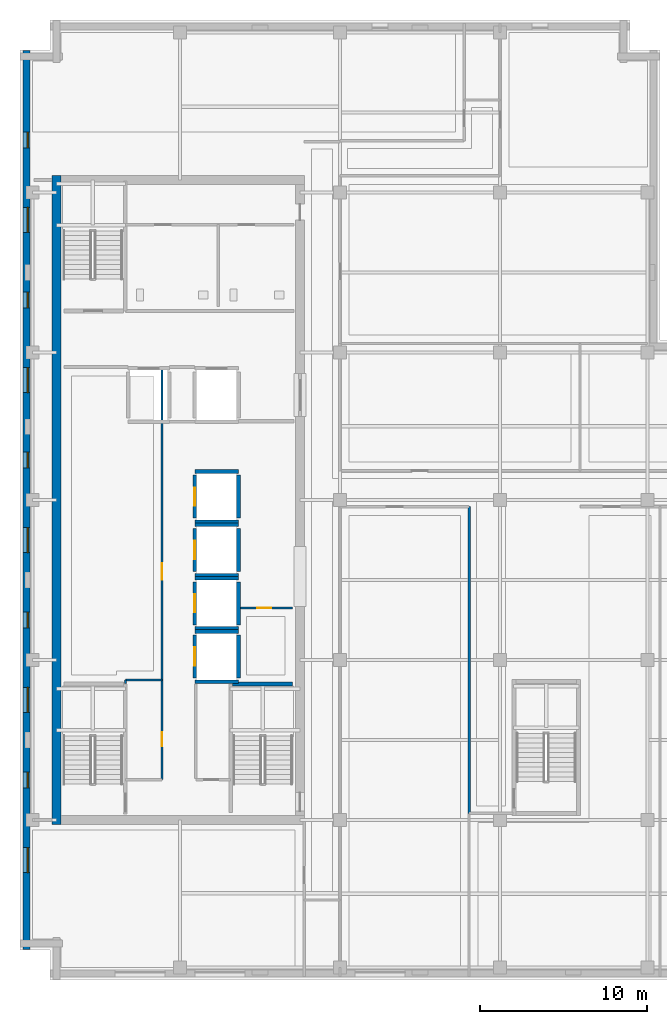
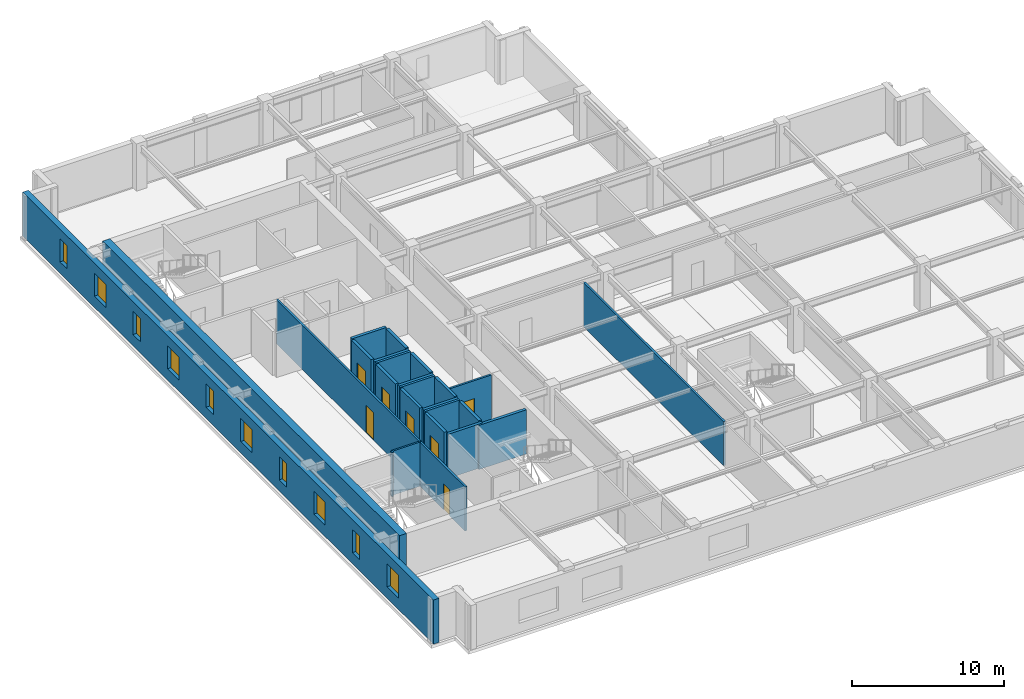
# One storey, part 4 of 11: 24 walls, 10 windows, 7 doors, 17 openings.
"""IFC4 building model written with IfcOpenShell, lengths in metres."""

from ifc_helpers import new_model, si_unit, direction, frame, frame_2d, origin, place, context, subcontext, project, spatial, rectangle, extrude, material, layer, layer_set, type_object, element, fill, save


model = new_model("IFC4")

# Units and contexts
model_context = context("Model", 3, precision=1e-05, world=origin(), true_north=direction((0.0, 1.0)))
body_context = subcontext(model_context, "Body", "Model", "MODEL_VIEW")
ifc_project = project(units=[si_unit("LENGTHUNIT", "METRE"), si_unit("AREAUNIT", "SQUARE_METRE"), si_unit("VOLUMEUNIT", "CUBIC_METRE"), si_unit("PLANEANGLEUNIT", "RADIAN"), si_unit("MASSUNIT", "GRAM", prefix="KILO")], contexts=[model_context])

# Site, building, storey
site_placement = place(None, origin())
site = spatial("IfcSite", under=ifc_project, at=site_placement, CompositionType="ELEMENT")
building_placement = place(site_placement, origin())
building = spatial("IfcBuilding", under=site, at=building_placement, Name="Norrvale University Quadrangle", CompositionType="ELEMENT")
storey_placement = place(building_placement, frame((0.0, 0.0, 248.39990234375)))
storey = spatial("IfcBuildingStorey", under=building, at=storey_placement, Name="L63", CompositionType="ELEMENT", Elevation=248.39990234375)

# Wall, openings, windows
ifc_material_1 = material(Name="Buff Norman Clay Brick Masonry", Category="masonry")
ifc_layer_1 = layer(ifc_material_1, 0.419921875, Name="Buff Norman Clay Brick Masonry")
ifc_layer_set_1 = layer_set([ifc_layer_1], Name="Buff Norman Clay Brick Masonry")
wall_type_1 = type_object("IfcWallType", Name="Wall Buff Brick 420", PredefinedType="SOLIDWALL", material=ifc_layer_set_1)
wall_1_placement = place(storey_placement, frame((0.389892578125, 55.760009765625, 0.0), z_axis=(0.0, 0.0, 1.0), x_axis=(0.0, -1.0, 0.0)))
wall_1 = element("IfcWall", 1, at=wall_1_placement, inside=storey, type_object=wall_type_1, Name="Exterior Brick Facade Wall L63-14.1", PredefinedType="SOLIDWALL", context=body_context, shape_type="SweptSolid", body=[
    extrude(rectangle(XDim=53.919921875, YDim=0.419921875, at=frame_2d((26.9599609375, 0.0))), origin(), (0.0, 0.0, 1.0), 3.5400390625),
])
opening_1_placement = place(wall_1_placement, frame((4.885009765625, 0.0, 0.89990234375)))
opening_1 = element("IfcOpeningElement", 2, at=opening_1_placement, cuts=wall_1, Name="Opening W04", PredefinedType="OPENING", context=body_context, shape_type="SweptSolid", body=[
    extrude(rectangle(XDim=0.949951171875, YDim=1.85009765625, at=frame_2d((0.47509765625, 0.925048828125))), frame((0.0, 0.221923828125, 0.0), z_axis=(0.0, -1.0, 0.0), x_axis=(1.0, 0.0, 0.0)), (0.0, 0.0, 1.0), 0.44384765625),
])
opening_2_placement = place(wall_1_placement, frame((9.409912109375, 0.0, 0.89990234375)))
opening_2 = element("IfcOpeningElement", 3, at=opening_2_placement, cuts=wall_1, Name="Opening W03", PredefinedType="OPENING", context=body_context, shape_type="SweptSolid", body=[
    extrude(rectangle(XDim=1.5, YDim=1.85009765625, at=frame_2d((0.75, 0.925048828125))), frame((0.0, 0.221923828125, 0.0), z_axis=(0.0, -1.0, 0.0), x_axis=(1.0, 0.0, 0.0)), (0.0, 0.0, 1.0), 0.44384765625),
])
opening_3_placement = place(wall_1_placement, frame((14.485107421875, 0.0, 0.89990234375)))
opening_3 = element("IfcOpeningElement", 4, at=opening_3_placement, cuts=wall_1, Name="Opening W04", PredefinedType="OPENING", context=body_context, shape_type="SweptSolid", body=[
    extrude(rectangle(XDim=0.949951171875, YDim=1.85009765625, at=frame_2d((0.47509765625, 0.925048828125))), frame((0.0, 0.221923828125, 0.0), z_axis=(0.0, -1.0, 0.0), x_axis=(1.0, 0.0, 0.0)), (0.0, 0.0, 1.0), 0.44384765625),
])
opening_4_placement = place(wall_1_placement, frame((19.010009765625, 0.0, 0.89990234375)))
opening_4 = element("IfcOpeningElement", 5, at=opening_4_placement, cuts=wall_1, Name="Opening W03", PredefinedType="OPENING", context=body_context, shape_type="SweptSolid", body=[
    extrude(rectangle(XDim=1.5, YDim=1.85009765625, at=frame_2d((0.75, 0.925048828125))), frame((0.0, 0.221923828125, 0.0), z_axis=(0.0, -1.0, 0.0), x_axis=(1.0, 0.0, 0.0)), (0.0, 0.0, 1.0), 0.44384765625),
])
opening_5_placement = place(wall_1_placement, frame((24.0849609375, 0.0, 0.89990234375)))
opening_5 = element("IfcOpeningElement", 6, at=opening_5_placement, cuts=wall_1, Name="Opening W04", PredefinedType="OPENING", context=body_context, shape_type="SweptSolid", body=[
    extrude(rectangle(XDim=0.949951171875, YDim=1.85009765625, at=frame_2d((0.47509765625, 0.925048828125))), frame((0.0, 0.221923828125, 0.0), z_axis=(0.0, -1.0, 0.0), x_axis=(1.0, 0.0, 0.0)), (0.0, 0.0, 1.0), 0.44384765625),
])
opening_6_placement = place(wall_1_placement, frame((28.610107421875, 0.0, 0.89990234375)))
opening_6 = element("IfcOpeningElement", 7, at=opening_6_placement, cuts=wall_1, Name="Opening W03", PredefinedType="OPENING", context=body_context, shape_type="SweptSolid", body=[
    extrude(rectangle(XDim=1.5, YDim=1.85009765625, at=frame_2d((0.75, 0.925048828125))), frame((0.0, 0.221923828125, 0.0), z_axis=(0.0, -1.0, 0.0), x_axis=(1.0, 0.0, 0.0)), (0.0, 0.0, 1.0), 0.44384765625),
])
opening_7_placement = place(wall_1_placement, frame((33.68505859375, 0.0, 0.89990234375)))
opening_7 = element("IfcOpeningElement", 8, at=opening_7_placement, cuts=wall_1, Name="Opening W04", PredefinedType="OPENING", context=body_context, shape_type="SweptSolid", body=[
    extrude(rectangle(XDim=0.949951171875, YDim=1.85009765625, at=frame_2d((0.47509765625, 0.925048828125))), frame((0.0, 0.221923828125, 0.0), z_axis=(0.0, -1.0, 0.0), x_axis=(1.0, 0.0, 0.0)), (0.0, 0.0, 1.0), 0.44384765625),
])
opening_8_placement = place(wall_1_placement, frame((38.2099609375, 0.0, 0.89990234375)))
opening_8 = element("IfcOpeningElement", 9, at=opening_8_placement, cuts=wall_1, Name="Opening W03", PredefinedType="OPENING", context=body_context, shape_type="SweptSolid", body=[
    extrude(rectangle(XDim=1.5, YDim=1.85009765625, at=frame_2d((0.75, 0.925048828125))), frame((0.0, 0.221923828125, 0.0), z_axis=(0.0, -1.0, 0.0), x_axis=(1.0, 0.0, 0.0)), (0.0, 0.0, 1.0), 0.44384765625),
])
opening_9_placement = place(wall_1_placement, frame((43.284912109375, 0.0, 0.89990234375)))
opening_9 = element("IfcOpeningElement", 10, at=opening_9_placement, cuts=wall_1, Name="Opening W04", PredefinedType="OPENING", context=body_context, shape_type="SweptSolid", body=[
    extrude(rectangle(XDim=0.949951171875, YDim=1.85009765625, at=frame_2d((0.47509765625, 0.925048828125))), frame((0.0, 0.221923828125, 0.0), z_axis=(0.0, -1.0, 0.0), x_axis=(1.0, 0.0, 0.0)), (0.0, 0.0, 1.0), 0.44384765625),
])
opening_10_placement = place(wall_1_placement, frame((47.81005859375, 0.0, 0.89990234375)))
opening_10 = element("IfcOpeningElement", 11, at=opening_10_placement, cuts=wall_1, Name="Opening W03", PredefinedType="OPENING", context=body_context, shape_type="SweptSolid", body=[
    extrude(rectangle(XDim=1.5, YDim=1.85009765625, at=frame_2d((0.75, 0.925048828125))), frame((0.0, 0.221923828125, 0.0), z_axis=(0.0, -1.0, 0.0), x_axis=(1.0, 0.0, 0.0)), (0.0, 0.0, 1.0), 0.44384765625),
])
ifc_material_2 = material(Name="Triple Low-E Argon Glazing", Category="glass")
window_type_1 = type_object("IfcWindowType", Name="Window Narrow Pier 950x2300", PartitioningType="SINGLE_PANEL", PredefinedType="WINDOW", material=ifc_material_2)
window_1_placement = place(opening_1_placement, origin())
window_1 = element("IfcWindow", 12, at=window_1_placement, inside=storey, type_object=window_type_1, Name="Window Narrow Pier 950x2300 WIN-L63-E14-1-01", OverallHeight=1.85009765625, OverallWidth=0.949951171875, PartitioningType="SINGLE_PANEL", PredefinedType="WINDOW", context=body_context, shape_type="SweptSolid", body=[
    extrude(rectangle(XDim=0.949951171875, YDim=1.85009765625, at=frame_2d((0.47509765625, 0.925048828125))), frame((0.0, 0.110107421875, 0.0), z_axis=(0.0, -1.0, 0.0), x_axis=(1.0, 0.0, 0.0)), (0.0, 0.0, 1.0), 0.06005859375),
])
fill(opening_1, window_1)
window_2_placement = place(opening_3_placement, origin())
window_2 = element("IfcWindow", 13, at=window_2_placement, inside=storey, type_object=window_type_1, Name="Window Narrow Pier 950x2300 WIN-L63-E14-1-03", OverallHeight=1.85009765625, OverallWidth=0.949951171875, PartitioningType="SINGLE_PANEL", PredefinedType="WINDOW", context=body_context, shape_type="SweptSolid", body=[
    extrude(rectangle(XDim=0.949951171875, YDim=1.85009765625, at=frame_2d((0.47509765625, 0.925048828125))), frame((0.0, 0.110107421875, 0.0), z_axis=(0.0, -1.0, 0.0), x_axis=(1.0, 0.0, 0.0)), (0.0, 0.0, 1.0), 0.06005859375),
])
fill(opening_3, window_2)
window_3_placement = place(opening_5_placement, origin())
window_3 = element("IfcWindow", 14, at=window_3_placement, inside=storey, type_object=window_type_1, Name="Window Narrow Pier 950x2300 WIN-L63-E14-1-05", OverallHeight=1.85009765625, OverallWidth=0.949951171875, PartitioningType="SINGLE_PANEL", PredefinedType="WINDOW", context=body_context, shape_type="SweptSolid", body=[
    extrude(rectangle(XDim=0.949951171875, YDim=1.85009765625, at=frame_2d((0.47509765625, 0.925048828125))), frame((0.0, 0.110107421875, 0.0), z_axis=(0.0, -1.0, 0.0), x_axis=(1.0, 0.0, 0.0)), (0.0, 0.0, 1.0), 0.06005859375),
])
fill(opening_5, window_3)
window_4_placement = place(opening_7_placement, origin())
window_4 = element("IfcWindow", 15, at=window_4_placement, inside=storey, type_object=window_type_1, Name="Window Narrow Pier 950x2300 WIN-L63-E14-1-07", OverallHeight=1.85009765625, OverallWidth=0.949951171875, PartitioningType="SINGLE_PANEL", PredefinedType="WINDOW", context=body_context, shape_type="SweptSolid", body=[
    extrude(rectangle(XDim=0.949951171875, YDim=1.85009765625, at=frame_2d((0.47509765625, 0.925048828125))), frame((0.0, 0.110107421875, 0.0), z_axis=(0.0, -1.0, 0.0), x_axis=(1.0, 0.0, 0.0)), (0.0, 0.0, 1.0), 0.06005859375),
])
fill(opening_7, window_4)
window_5_placement = place(opening_9_placement, origin())
window_5 = element("IfcWindow", 16, at=window_5_placement, inside=storey, type_object=window_type_1, Name="Window Narrow Pier 950x2300 WIN-L63-E14-1-09", OverallHeight=1.85009765625, OverallWidth=0.949951171875, PartitioningType="SINGLE_PANEL", PredefinedType="WINDOW", context=body_context, shape_type="SweptSolid", body=[
    extrude(rectangle(XDim=0.949951171875, YDim=1.85009765625, at=frame_2d((0.47509765625, 0.925048828125))), frame((0.0, 0.110107421875, 0.0), z_axis=(0.0, -1.0, 0.0), x_axis=(1.0, 0.0, 0.0)), (0.0, 0.0, 1.0), 0.06005859375),
])
fill(opening_9, window_5)
window_type_2 = type_object("IfcWindowType", Name="Window Studio 1500x2300", PartitioningType="DOUBLE_PANEL_VERTICAL", PredefinedType="WINDOW", material=ifc_material_2)
window_6_placement = place(opening_2_placement, origin())
window_6 = element("IfcWindow", 17, at=window_6_placement, inside=storey, type_object=window_type_2, Name="Window Studio 1500x2300 WIN-L63-E14-1-02", OverallHeight=1.85009765625, OverallWidth=1.5, PartitioningType="DOUBLE_PANEL_VERTICAL", PredefinedType="WINDOW", context=body_context, shape_type="SweptSolid", body=[
    extrude(rectangle(XDim=1.5, YDim=1.85009765625, at=frame_2d((0.75, 0.925048828125))), frame((0.0, 0.110107421875, 0.0), z_axis=(0.0, -1.0, 0.0), x_axis=(1.0, 0.0, 0.0)), (0.0, 0.0, 1.0), 0.06005859375),
])
fill(opening_2, window_6)
window_7_placement = place(opening_4_placement, origin())
window_7 = element("IfcWindow", 18, at=window_7_placement, inside=storey, type_object=window_type_2, Name="Window Studio 1500x2300 WIN-L63-E14-1-04", OverallHeight=1.85009765625, OverallWidth=1.5, PartitioningType="DOUBLE_PANEL_VERTICAL", PredefinedType="WINDOW", context=body_context, shape_type="SweptSolid", body=[
    extrude(rectangle(XDim=1.5, YDim=1.85009765625, at=frame_2d((0.75, 0.925048828125))), frame((0.0, 0.110107421875, 0.0), z_axis=(0.0, -1.0, 0.0), x_axis=(1.0, 0.0, 0.0)), (0.0, 0.0, 1.0), 0.06005859375),
])
fill(opening_4, window_7)
window_8_placement = place(opening_6_placement, origin())
window_8 = element("IfcWindow", 19, at=window_8_placement, inside=storey, type_object=window_type_2, Name="Window Studio 1500x2300 WIN-L63-E14-1-06", OverallHeight=1.85009765625, OverallWidth=1.5, PartitioningType="DOUBLE_PANEL_VERTICAL", PredefinedType="WINDOW", context=body_context, shape_type="SweptSolid", body=[
    extrude(rectangle(XDim=1.5, YDim=1.85009765625, at=frame_2d((0.75, 0.925048828125))), frame((0.0, 0.110107421875, 0.0), z_axis=(0.0, -1.0, 0.0), x_axis=(1.0, 0.0, 0.0)), (0.0, 0.0, 1.0), 0.06005859375),
])
fill(opening_6, window_8)
window_9_placement = place(opening_8_placement, origin())
window_9 = element("IfcWindow", 20, at=window_9_placement, inside=storey, type_object=window_type_2, Name="Window Studio 1500x2300 WIN-L63-E14-1-08", OverallHeight=1.85009765625, OverallWidth=1.5, PartitioningType="DOUBLE_PANEL_VERTICAL", PredefinedType="WINDOW", context=body_context, shape_type="SweptSolid", body=[
    extrude(rectangle(XDim=1.5, YDim=1.85009765625, at=frame_2d((0.75, 0.925048828125))), frame((0.0, 0.110107421875, 0.0), z_axis=(0.0, -1.0, 0.0), x_axis=(1.0, 0.0, 0.0)), (0.0, 0.0, 1.0), 0.06005859375),
])
fill(opening_8, window_9)
window_10_placement = place(opening_10_placement, origin())
window_10 = element("IfcWindow", 21, at=window_10_placement, inside=storey, type_object=window_type_2, Name="Window Studio 1500x2300 WIN-L63-E14-1-10", OverallHeight=1.85009765625, OverallWidth=1.5, PartitioningType="DOUBLE_PANEL_VERTICAL", PredefinedType="WINDOW", context=body_context, shape_type="SweptSolid", body=[
    extrude(rectangle(XDim=1.5, YDim=1.85009765625, at=frame_2d((0.75, 0.925048828125))), frame((0.0, 0.110107421875, 0.0), z_axis=(0.0, -1.0, 0.0), x_axis=(1.0, 0.0, 0.0)), (0.0, 0.0, 1.0), 0.06005859375),
])
fill(opening_10, window_10)

# Walls
ifc_material_3 = material(Name="Concrete C60/75", Category="concrete")
ifc_layer_2 = layer(ifc_material_3, 0.550048828125, Name="Concrete C60/75")
ifc_layer_set_2 = layer_set([ifc_layer_2], Name="Concrete C60/75")
wall_type_2 = type_object("IfcWallType", Name="Wall Core 550", PredefinedType="SHEAR", material=ifc_layer_set_2)
wall_2_placement = place(storey_placement, frame((2.199951171875, 9.324951171875, 0.0), z_axis=(0.0, 0.0, 1.0), x_axis=(0.0, 1.0, 0.0)))
element("IfcWall", 22, at=wall_2_placement, inside=storey, type_object=wall_type_2, Name="Tower Core Shear Wall L63-W", PredefinedType="SHEAR", context=body_context, shape_type="SweptSolid", body=[
    extrude(rectangle(XDim=38.949951171875, YDim=0.550048828125, at=frame_2d((19.47509765625, 0.0))), origin(), (0.0, 0.0, 1.0), 3.5400390625),
])
ifc_material_4 = material(Name="Standard Academic Gypsum Partition")
ifc_layer_3 = layer(ifc_material_4, 0.125, Name="Standard Academic Gypsum Partition")
ifc_layer_set_3 = layer_set([ifc_layer_3], Name="Standard Academic Gypsum Partition")
wall_type_3 = type_object("IfcWallType", Name="Wall Gypsum Academic 125", PredefinedType="PARTITIONING", material=ifc_layer_set_3)
wall_3_placement = place(storey_placement, frame((6.320068359375, 17.800048828125, 0.0), z_axis=(0.0, 0.0, 1.0), x_axis=(0.0, 1.0, 0.0)))
element("IfcWall", 23, at=wall_3_placement, inside=storey, type_object=wall_type_3, Name="Interior Partition WL-L63-REC-L1", PredefinedType="PARTITIONING", context=body_context, shape_type="SweptSolid", body=[
    extrude(rectangle(XDim=0.199951171875, YDim=0.125, at=frame_2d((0.10009765625, 0.0))), origin(), (0.0, 0.0, 1.0), 3.5400390625),
])
wall_4_placement = place(storey_placement, frame((6.320068359375, 18.0, 0.0), z_axis=(0.0, 0.0, 1.0), x_axis=(1.0, 0.0, 0.0)))
element("IfcWall", 24, at=wall_4_placement, inside=storey, type_object=wall_type_3, Name="Interior Partition WL-L63-REC-L2", PredefinedType="PARTITIONING", context=body_context, shape_type="SweptSolid", body=[
    extrude(rectangle(XDim=2.199951171875, YDim=0.125, at=frame_2d((1.10009765625, 0.0))), origin(), (0.0, 0.0, 1.0), 3.5400390625),
])

# Wall, opening, door
ifc_material_5 = material(Name="Fire-Rated Gypsum Stud Partition")
ifc_layer_4 = layer(ifc_material_5, 0.14990234375, Name="Fire-Rated Gypsum Stud Partition")
ifc_layer_set_4 = layer_set([ifc_layer_4], Name="Fire-Rated Gypsum Stud Partition")
wall_type_4 = type_object("IfcWallType", Name="Wall Gypsum Corridor 150", PredefinedType="PARTITIONING", material=ifc_layer_set_4)
wall_5_placement = place(storey_placement, frame((13.22509765625, 22.320068359375, 0.0), z_axis=(0.0, 0.0, 1.0), x_axis=(1.0, 0.0, 0.0)))
wall_5 = element("IfcWall", 25, at=wall_5_placement, inside=storey, type_object=wall_type_4, Name="Interior Partition WL-L63-JAN-N", PredefinedType="PARTITIONING", context=body_context, shape_type="SweptSolid", body=[
    extrude(rectangle(XDim=3.119873046875, YDim=0.14990234375, at=frame_2d((1.56005859375, 0.0))), origin(), (0.0, 0.0, 1.0), 3.5400390625),
])
opening_11_placement = place(wall_5_placement, frame((1.0, 0.0, 0.0)))
opening_11 = element("IfcOpeningElement", 26, at=opening_11_placement, cuts=wall_5, Name="Opening D10", PredefinedType="OPENING", context=body_context, shape_type="SweptSolid", body=[
    extrude(rectangle(XDim=0.85009765625, YDim=2.10009765625, at=frame_2d((0.425048828125, 1.050048828125))), frame((0.0, 0.0869140625, 0.0), z_axis=(0.0, -1.0, 0.0), x_axis=(1.0, 0.0, 0.0)), (0.0, 0.0, 1.0), 0.173828125),
])
ifc_material_6 = material(Name="Hollow Steel 350W Riser Fire Door", Category="steel")
door_type_1 = type_object("IfcDoorType", Name="Door Riser 850x2100", OperationType="NOTDEFINED", PredefinedType="DOOR", material=ifc_material_6)
door_1_placement = place(opening_11_placement, origin())
door_1 = element("IfcDoor", 27, at=door_1_placement, inside=storey, type_object=door_type_1, Name="Door Riser 850x2100 DR-L63-JAN", OperationType="SINGLE_SWING_LEFT", OverallHeight=2.10009765625, OverallWidth=0.85009765625, PredefinedType="DOOR", context=body_context, shape_type="SweptSolid", body=[
    extrude(rectangle(XDim=0.85009765625, YDim=2.10009765625, at=frame_2d((0.425048828125, 1.050048828125))), frame((0.0, 0.02490234375, 0.0), z_axis=(0.0, -1.0, 0.0), x_axis=(1.0, 0.0, 0.0)), (0.0, 0.0, 1.0), 0.050048828125),
])
fill(opening_11, door_1)

# Wall, openings, doors
wall_6_placement = place(storey_placement, frame((8.52001953125, 12.02001953125, 0.0), z_axis=(0.0, 0.0, 1.0), x_axis=(0.0, 1.0, 0.0)))
wall_6 = element("IfcWall", 28, at=wall_6_placement, inside=storey, type_object=wall_type_4, Name="Interior Partition WL-L63-REC-E", PredefinedType="PARTITIONING", context=body_context, shape_type="SweptSolid", body=[
    extrude(rectangle(XDim=24.760009765625, YDim=0.14990234375, at=frame_2d((12.3798828125, 0.0))), origin(), (0.0, 0.0, 1.0), 3.5400390625),
])
opening_12_placement = place(wall_6_placement, frame((2.0, 0.0, 0.0)))
opening_12 = element("IfcOpeningElement", 29, at=opening_12_placement, cuts=wall_6, Name="Opening D10", PredefinedType="OPENING", context=body_context, shape_type="SweptSolid", body=[
    extrude(rectangle(XDim=0.85009765625, YDim=2.10009765625, at=frame_2d((0.425048828125, 1.050048828125))), frame((0.0, 0.0869140625, 0.0), z_axis=(0.0, -1.0, 0.0), x_axis=(1.0, 0.0, 0.0)), (0.0, 0.0, 1.0), 0.173828125),
])
opening_13_placement = place(wall_6_placement, frame((12.0, 0.0, 0.0)))
opening_13 = element("IfcOpeningElement", 30, at=opening_13_placement, cuts=wall_6, Name="Opening D04", PredefinedType="OPENING", context=body_context, shape_type="SweptSolid", body=[
    extrude(rectangle(XDim=1.0, YDim=2.199951171875, at=frame_2d((0.5, 1.10009765625))), frame((0.0, 0.0869140625, 0.0), z_axis=(0.0, -1.0, 0.0), x_axis=(1.0, 0.0, 0.0)), (0.0, 0.0, 1.0), 0.173828125),
])
ifc_material_7 = material(Name="Solid-Core Oak Fire Door", Category="wood")
door_type_2 = type_object("IfcDoorType", Name="Door Corridor 1000x2200", OperationType="NOTDEFINED", PredefinedType="DOOR", material=ifc_material_7)
door_2_placement = place(opening_13_placement, origin())
door_2 = element("IfcDoor", 31, at=door_2_placement, inside=storey, type_object=door_type_2, Name="Door Corridor 1000x2200 DR-L63-REC2", OperationType="SINGLE_SWING_RIGHT", OverallHeight=2.199951171875, OverallWidth=1.0, PredefinedType="DOOR", context=body_context, shape_type="SweptSolid", body=[
    extrude(rectangle(XDim=1.0, YDim=2.199951171875, at=frame_2d((0.5, 1.10009765625))), frame((0.0, 0.02490234375, 0.0), z_axis=(0.0, -1.0, 0.0), x_axis=(1.0, 0.0, 0.0)), (0.0, 0.0, 1.0), 0.050048828125),
])
fill(opening_13, door_2)
door_3_placement = place(opening_12_placement, origin())
door_3 = element("IfcDoor", 32, at=door_3_placement, inside=storey, type_object=door_type_1, Name="Door Riser 850x2100 DR-L63-REC1", OperationType="SINGLE_SWING_LEFT", OverallHeight=2.10009765625, OverallWidth=0.85009765625, PredefinedType="DOOR", context=body_context, shape_type="SweptSolid", body=[
    extrude(rectangle(XDim=0.85009765625, YDim=2.10009765625, at=frame_2d((0.425048828125, 1.050048828125))), frame((0.0, 0.02490234375, 0.0), z_axis=(0.0, -1.0, 0.0), x_axis=(1.0, 0.0, 0.0)), (0.0, 0.0, 1.0), 0.050048828125),
])
fill(opening_12, door_3)

# Walls
wall_7_placement = place(storey_placement, frame((26.949951171875, 10.0, 0.0), z_axis=(0.0, 0.0, 1.0), x_axis=(0.0, 1.0, 0.0)))
element("IfcWall", 33, at=wall_7_placement, inside=storey, type_object=wall_type_4, Name="Interior Partition WL-L63-SEP1B", PredefinedType="PARTITIONING", context=body_context, shape_type="SweptSolid", body=[
    extrude(rectangle(XDim=18.39990234375, YDim=0.14990234375, at=frame_2d((9.199951171875, 0.0))), origin(), (0.0, 0.0, 1.0), 3.5400390625),
])
ifc_material_8 = material(Name="Concrete Blockwork 20 MPa Fire Shaft", Category="masonry")
ifc_layer_5 = layer(ifc_material_8, 0.219970703125, Name="Concrete Blockwork 20 MPa Fire Shaft")
ifc_layer_set_5 = layer_set([ifc_layer_5], Name="Concrete Blockwork 20 MPa Fire Shaft")
wall_type_5 = type_object("IfcWallType", Name="Wall Shaft 220", PredefinedType="SOLIDWALL", material=ifc_layer_set_5)
wall_8_placement = place(storey_placement, frame((12.75, 17.760009765625, 0.0), z_axis=(0.0, 0.0, 1.0), x_axis=(1.0, 0.0, 0.0)))
element("IfcWall", 34, at=wall_8_placement, inside=storey, type_object=wall_type_5, Name="Stair ST-03 North Shaft Wall L63", PredefinedType="SOLIDWALL", context=body_context, shape_type="SweptSolid", body=[
    extrude(rectangle(XDim=3.60009765625, YDim=0.219970703125, at=frame_2d((1.800048828125, 0.0))), origin(), (0.0, 0.0, 1.0), 3.5400390625),
])

# Wall, opening, door
wall_9_placement = place(storey_placement, frame((10.489990234375, 18.110107421875, 0.0), z_axis=(0.0, 0.0, 1.0), x_axis=(0.0, 1.0, 0.0)))
wall_9 = element("IfcWall", 35, at=wall_9_placement, inside=storey, type_object=wall_type_5, Name="Hoistway PL-05 West Wall L63", PredefinedType="SOLIDWALL", context=body_context, shape_type="SweptSolid", body=[
    extrude(rectangle(XDim=2.579833984375, YDim=0.219970703125, at=frame_2d((1.2900390625, 0.0))), origin(), (0.0, 0.0, 1.0), 3.5400390625),
])
opening_14_placement = place(wall_9_placement, frame((0.739990234375, 0.0, 0.0)))
opening_14 = element("IfcOpeningElement", 36, at=opening_14_placement, cuts=wall_9, Name="Opening LD1", PredefinedType="OPENING", context=body_context, shape_type="SweptSolid", body=[
    extrude(rectangle(XDim=1.10009765625, YDim=2.199951171875, at=frame_2d((0.550048828125, 1.10009765625))), frame((0.0, 0.1220703125, 0.0), z_axis=(0.0, -1.0, 0.0), x_axis=(1.0, 0.0, 0.0)), (0.0, 0.0, 1.0), 0.243896484375),
])
ifc_material_9 = material(Name="Stainless Steel 316L Lift Landing Door", Category="steel")
door_type_3 = type_object("IfcDoorType", Name="Door Lift Landing 1100x2200", OperationType="DOUBLE_DOOR_SLIDING", PredefinedType="DOOR", material=ifc_material_9)
door_4_placement = place(opening_14_placement, origin())
door_4 = element("IfcDoor", 37, at=door_4_placement, inside=storey, type_object=door_type_3, Name="Elevator Landing Door DR-L63-PL-05", OperationType="DOUBLE_DOOR_SLIDING", OverallHeight=2.199951171875, OverallWidth=1.10009765625, PredefinedType="DOOR", context=body_context, shape_type="SweptSolid", body=[
    extrude(rectangle(XDim=1.10009765625, YDim=2.199951171875, at=frame_2d((0.550048828125, 1.10009765625))), frame((0.0, 0.02490234375, 0.0), z_axis=(0.0, -1.0, 0.0), x_axis=(1.0, 0.0, 0.0)), (0.0, 0.0, 1.0), 0.050048828125),
])
fill(opening_14, door_4)

# Walls
wall_10_placement = place(storey_placement, frame((13.110107421875, 18.110107421875, 0.0), z_axis=(0.0, 0.0, 1.0), x_axis=(0.0, 1.0, 0.0)))
element("IfcWall", 38, at=wall_10_placement, inside=storey, type_object=wall_type_5, Name="Hoistway PL-05 East Wall L63", PredefinedType="SOLIDWALL", context=body_context, shape_type="SweptSolid", body=[
    extrude(rectangle(XDim=2.579833984375, YDim=0.219970703125, at=frame_2d((1.2900390625, 0.0))), origin(), (0.0, 0.0, 1.0), 3.5400390625),
])
for number, where, z_axis, x_axis, name in (
    (39, (10.489990234375, 17.889892578125, 0.0), (0.0, 0.0, 1.0), (1.0, 0.0, 0.0), "Hoistway PL-05 South Wall L63"),
    (40, (10.489990234375, 20.909912109375, 0.0), (0.0, 0.0, 1.0), (1.0, 0.0, 0.0), "Hoistway PL-05 North Wall L63"),
):
    element("IfcWall", number, at=place(storey_placement, frame(where, z_axis=z_axis, x_axis=x_axis)), inside=storey, type_object=wall_type_5, Name=name, PredefinedType="SOLIDWALL", context=body_context, shape_type="SweptSolid", body=[
        extrude(rectangle(XDim=2.6201171875, YDim=0.219970703125, at=frame_2d((1.31005859375, 0.0))), origin(), (0.0, 0.0, 1.0), 3.5400390625),
    ])

# Wall, opening, door
wall_11_placement = place(storey_placement, frame((10.489990234375, 21.31005859375, 0.0), z_axis=(0.0, 0.0, 1.0), x_axis=(0.0, 1.0, 0.0)))
wall_11 = element("IfcWall", 41, at=wall_11_placement, inside=storey, type_object=wall_type_5, Name="Hoistway PL-06 West Wall L63", PredefinedType="SOLIDWALL", context=body_context, shape_type="SweptSolid", body=[
    extrude(rectangle(XDim=2.579833984375, YDim=0.219970703125, at=frame_2d((1.2900390625, 0.0))), origin(), (0.0, 0.0, 1.0), 3.5400390625),
])
opening_15_placement = place(wall_11_placement, frame((0.739990234375, 0.0, 0.0)))
opening_15 = element("IfcOpeningElement", 42, at=opening_15_placement, cuts=wall_11, Name="Opening LD1", PredefinedType="OPENING", context=body_context, shape_type="SweptSolid", body=[
    extrude(rectangle(XDim=1.10009765625, YDim=2.199951171875, at=frame_2d((0.550048828125, 1.10009765625))), frame((0.0, 0.1220703125, 0.0), z_axis=(0.0, -1.0, 0.0), x_axis=(1.0, 0.0, 0.0)), (0.0, 0.0, 1.0), 0.243896484375),
])
door_5_placement = place(opening_15_placement, origin())
door_5 = element("IfcDoor", 43, at=door_5_placement, inside=storey, type_object=door_type_3, Name="Elevator Landing Door DR-L63-PL-06", OperationType="DOUBLE_DOOR_SLIDING", OverallHeight=2.199951171875, OverallWidth=1.10009765625, PredefinedType="DOOR", context=body_context, shape_type="SweptSolid", body=[
    extrude(rectangle(XDim=1.10009765625, YDim=2.199951171875, at=frame_2d((0.550048828125, 1.10009765625))), frame((0.0, 0.02490234375, 0.0), z_axis=(0.0, -1.0, 0.0), x_axis=(1.0, 0.0, 0.0)), (0.0, 0.0, 1.0), 0.050048828125),
])
fill(opening_15, door_5)

# Walls
wall_12_placement = place(storey_placement, frame((13.110107421875, 21.31005859375, 0.0), z_axis=(0.0, 0.0, 1.0), x_axis=(0.0, 1.0, 0.0)))
element("IfcWall", 44, at=wall_12_placement, inside=storey, type_object=wall_type_5, Name="Hoistway PL-06 East Wall L63", PredefinedType="SOLIDWALL", context=body_context, shape_type="SweptSolid", body=[
    extrude(rectangle(XDim=2.579833984375, YDim=0.219970703125, at=frame_2d((1.2900390625, 0.0))), origin(), (0.0, 0.0, 1.0), 3.5400390625),
])
for number, where, z_axis, x_axis, name in (
    (45, (10.489990234375, 21.090087890625, 0.0), (0.0, 0.0, 1.0), (1.0, 0.0, 0.0), "Hoistway PL-06 South Wall L63"),
    (46, (10.489990234375, 24.110107421875, 0.0), (0.0, 0.0, 1.0), (1.0, 0.0, 0.0), "Hoistway PL-06 North Wall L63"),
):
    element("IfcWall", number, at=place(storey_placement, frame(where, z_axis=z_axis, x_axis=x_axis)), inside=storey, type_object=wall_type_5, Name=name, PredefinedType="SOLIDWALL", context=body_context, shape_type="SweptSolid", body=[
        extrude(rectangle(XDim=2.6201171875, YDim=0.219970703125, at=frame_2d((1.31005859375, 0.0))), origin(), (0.0, 0.0, 1.0), 3.5400390625),
    ])

# Wall, opening, door
wall_13_placement = place(storey_placement, frame((10.489990234375, 24.510009765625, 0.0), z_axis=(0.0, 0.0, 1.0), x_axis=(0.0, 1.0, 0.0)))
wall_13 = element("IfcWall", 47, at=wall_13_placement, inside=storey, type_object=wall_type_5, Name="Hoistway PL-07 West Wall L63", PredefinedType="SOLIDWALL", context=body_context, shape_type="SweptSolid", body=[
    extrude(rectangle(XDim=2.580078125, YDim=0.219970703125, at=frame_2d((1.2900390625, 0.0))), origin(), (0.0, 0.0, 1.0), 3.5400390625),
])
opening_16_placement = place(wall_13_placement, frame((0.739990234375, 0.0, 0.0)))
opening_16 = element("IfcOpeningElement", 48, at=opening_16_placement, cuts=wall_13, Name="Opening LD1", PredefinedType="OPENING", context=body_context, shape_type="SweptSolid", body=[
    extrude(rectangle(XDim=1.10009765625, YDim=2.199951171875, at=frame_2d((0.550048828125, 1.10009765625))), frame((0.0, 0.1220703125, 0.0), z_axis=(0.0, -1.0, 0.0), x_axis=(1.0, 0.0, 0.0)), (0.0, 0.0, 1.0), 0.243896484375),
])
door_6_placement = place(opening_16_placement, origin())
door_6 = element("IfcDoor", 49, at=door_6_placement, inside=storey, type_object=door_type_3, Name="Elevator Landing Door DR-L63-PL-07", OperationType="DOUBLE_DOOR_SLIDING", OverallHeight=2.199951171875, OverallWidth=1.10009765625, PredefinedType="DOOR", context=body_context, shape_type="SweptSolid", body=[
    extrude(rectangle(XDim=1.10009765625, YDim=2.199951171875, at=frame_2d((0.550048828125, 1.10009765625))), frame((0.0, 0.02490234375, 0.0), z_axis=(0.0, -1.0, 0.0), x_axis=(1.0, 0.0, 0.0)), (0.0, 0.0, 1.0), 0.050048828125),
])
fill(opening_16, door_6)

# Walls
wall_14_placement = place(storey_placement, frame((13.110107421875, 24.510009765625, 0.0), z_axis=(0.0, 0.0, 1.0), x_axis=(0.0, 1.0, 0.0)))
element("IfcWall", 50, at=wall_14_placement, inside=storey, type_object=wall_type_5, Name="Hoistway PL-07 East Wall L63", PredefinedType="SOLIDWALL", context=body_context, shape_type="SweptSolid", body=[
    extrude(rectangle(XDim=2.580078125, YDim=0.219970703125, at=frame_2d((1.2900390625, 0.0))), origin(), (0.0, 0.0, 1.0), 3.5400390625),
])
for number, where, z_axis, x_axis, name in (
    (51, (10.489990234375, 24.2900390625, 0.0), (0.0, 0.0, 1.0), (1.0, 0.0, 0.0), "Hoistway PL-07 South Wall L63"),
    (52, (10.489990234375, 27.31005859375, 0.0), (0.0, 0.0, 1.0), (1.0, 0.0, 0.0), "Hoistway PL-07 North Wall L63"),
):
    element("IfcWall", number, at=place(storey_placement, frame(where, z_axis=z_axis, x_axis=x_axis)), inside=storey, type_object=wall_type_5, Name=name, PredefinedType="SOLIDWALL", context=body_context, shape_type="SweptSolid", body=[
        extrude(rectangle(XDim=2.6201171875, YDim=0.219970703125, at=frame_2d((1.31005859375, 0.0))), origin(), (0.0, 0.0, 1.0), 3.5400390625),
    ])

# Wall, opening, door
wall_15_placement = place(storey_placement, frame((10.489990234375, 27.7099609375, 0.0), z_axis=(0.0, 0.0, 1.0), x_axis=(0.0, 1.0, 0.0)))
wall_15 = element("IfcWall", 53, at=wall_15_placement, inside=storey, type_object=wall_type_5, Name="Hoistway PL-08 West Wall L63", PredefinedType="SOLIDWALL", context=body_context, shape_type="SweptSolid", body=[
    extrude(rectangle(XDim=2.580078125, YDim=0.219970703125, at=frame_2d((1.2900390625, 0.0))), origin(), (0.0, 0.0, 1.0), 3.5400390625),
])
opening_17_placement = place(wall_15_placement, frame((0.739990234375, 0.0, 0.0)))
opening_17 = element("IfcOpeningElement", 54, at=opening_17_placement, cuts=wall_15, Name="Opening LD1", PredefinedType="OPENING", context=body_context, shape_type="SweptSolid", body=[
    extrude(rectangle(XDim=1.10009765625, YDim=2.199951171875, at=frame_2d((0.550048828125, 1.10009765625))), frame((0.0, 0.1220703125, 0.0), z_axis=(0.0, -1.0, 0.0), x_axis=(1.0, 0.0, 0.0)), (0.0, 0.0, 1.0), 0.243896484375),
])
door_7_placement = place(opening_17_placement, origin())
door_7 = element("IfcDoor", 55, at=door_7_placement, inside=storey, type_object=door_type_3, Name="Elevator Landing Door DR-L63-PL-08", OperationType="DOUBLE_DOOR_SLIDING", OverallHeight=2.199951171875, OverallWidth=1.10009765625, PredefinedType="DOOR", context=body_context, shape_type="SweptSolid", body=[
    extrude(rectangle(XDim=1.10009765625, YDim=2.199951171875, at=frame_2d((0.550048828125, 1.10009765625))), frame((0.0, 0.02490234375, 0.0), z_axis=(0.0, -1.0, 0.0), x_axis=(1.0, 0.0, 0.0)), (0.0, 0.0, 1.0), 0.050048828125),
])
fill(opening_17, door_7)

# Walls
wall_16_placement = place(storey_placement, frame((13.110107421875, 27.7099609375, 0.0), z_axis=(0.0, 0.0, 1.0), x_axis=(0.0, 1.0, 0.0)))
element("IfcWall", 56, at=wall_16_placement, inside=storey, type_object=wall_type_5, Name="Hoistway PL-08 East Wall L63", PredefinedType="SOLIDWALL", context=body_context, shape_type="SweptSolid", body=[
    extrude(rectangle(XDim=2.580078125, YDim=0.219970703125, at=frame_2d((1.2900390625, 0.0))), origin(), (0.0, 0.0, 1.0), 3.5400390625),
])
for number, where, z_axis, x_axis, name in (
    (57, (10.489990234375, 27.489990234375, 0.0), (0.0, 0.0, 1.0), (1.0, 0.0, 0.0), "Hoistway PL-08 South Wall L63"),
    (58, (10.489990234375, 30.510009765625, 0.0), (0.0, 0.0, 1.0), (1.0, 0.0, 0.0), "Hoistway PL-08 North Wall L63"),
):
    element("IfcWall", number, at=place(storey_placement, frame(where, z_axis=z_axis, x_axis=x_axis)), inside=storey, type_object=wall_type_5, Name=name, PredefinedType="SOLIDWALL", context=body_context, shape_type="SweptSolid", body=[
        extrude(rectangle(XDim=2.6201171875, YDim=0.219970703125, at=frame_2d((1.31005859375, 0.0))), origin(), (0.0, 0.0, 1.0), 3.5400390625),
    ])

save(model, "model.ifc")
